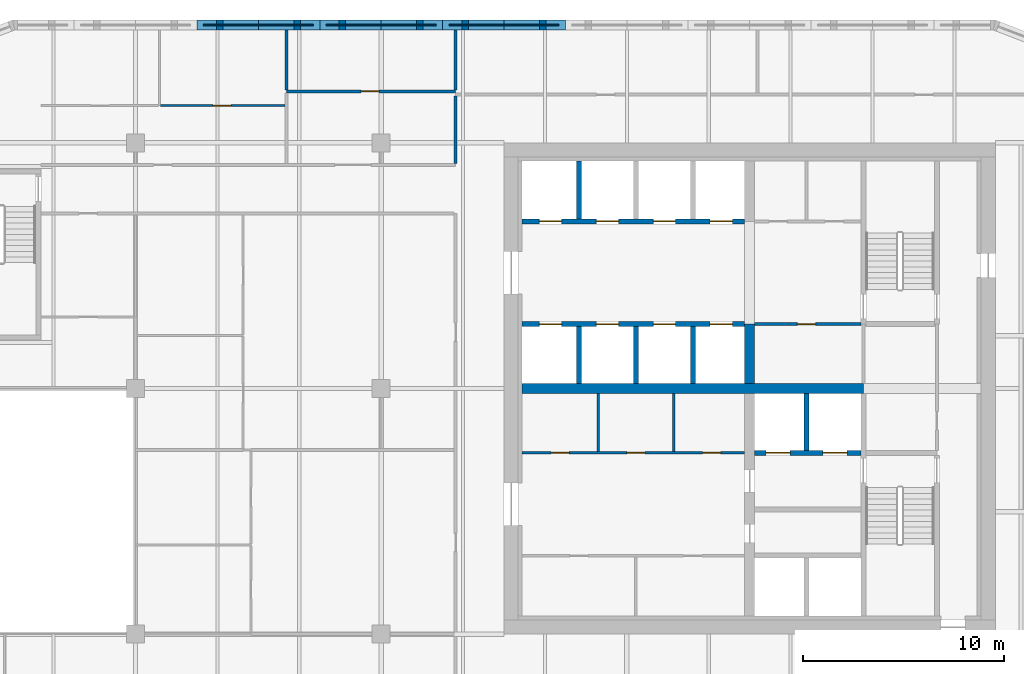
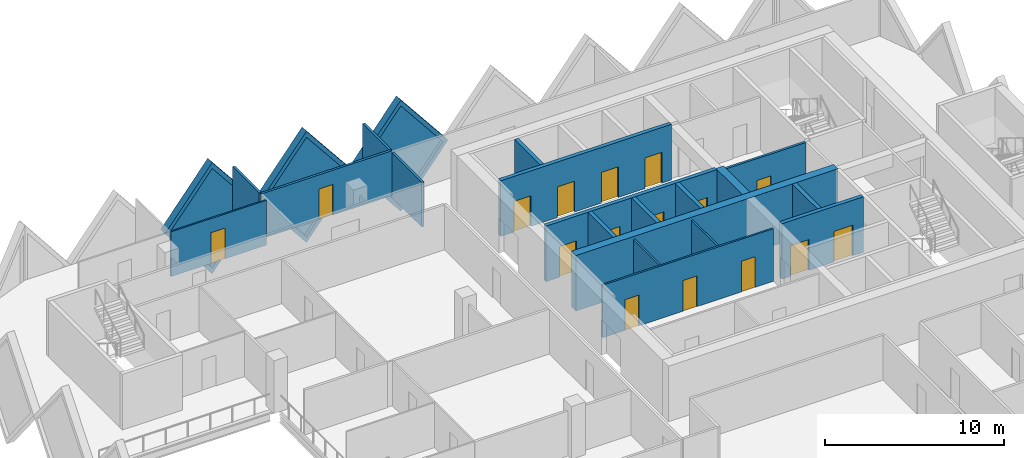
# One storey, part 8 of 12: 22 walls, 16 doors, 3 plates, 19 openings.
"""IFC4 building model written with IfcOpenShell, lengths in metres."""

from ifc_helpers import new_model, si_unit, direction, frame, frame_2d, origin, place, context, subcontext, project, spatial, polyline, rectangle, outline, extrude, faceted_brep, source, transform, mapped, material, layer, layer_set, type_object, element, fill, save


model = new_model("IFC4")

# Units and contexts
model_context = context("Model", 3, precision=1e-05, world=origin(), true_north=direction((0.0, 1.0)))
body_context = subcontext(model_context, "Body", "Model", "MODEL_VIEW")
ifc_project = project(units=[si_unit("LENGTHUNIT", "METRE"), si_unit("AREAUNIT", "SQUARE_METRE"), si_unit("VOLUMEUNIT", "CUBIC_METRE"), si_unit("PLANEANGLEUNIT", "RADIAN"), si_unit("MASSUNIT", "GRAM", prefix="KILO")], contexts=[model_context])

# Site, building, storey
site_placement = place(None, origin())
site = spatial("IfcSite", under=ifc_project, at=site_placement, CompositionType="ELEMENT")
building_placement = place(site_placement, origin())
building = spatial("IfcBuilding", under=site, at=building_placement, Name="Tessera Gate Towers", CompositionType="ELEMENT")
storey_placement = place(building_placement, frame((0.0, 0.0, 127.800048828125)))
storey = spatial("IfcBuildingStorey", under=building, at=storey_placement, Name="L31", CompositionType="ELEMENT", Elevation=127.800048828125)

# Wall, openings, doors
ifc_material_1 = material(Name="Concrete C40/50", Category="concrete")
ifc_layer_1 = layer(ifc_material_1, 0.25)
ifc_layer_set_1 = layer_set([ifc_layer_1], Name="CORE ENCLOSURE WALL 250")
wall_type_1 = type_object("IfcWallType", Name="CORE ENCLOSURE WALL 250", PredefinedType="SOLIDWALL", material=ifc_layer_set_1)
wall_1_placement = place(storey_placement, frame((31.39990234375, 39.800048828125, 0.0), z_axis=(0.0, 0.0, 1.0), x_axis=(1.0, 0.0, 0.0)))
wall_1 = element("IfcWall", 1, at=wall_1_placement, inside=storey, type_object=wall_type_1, Name="L31 shaft and stair enclosure wall", PredefinedType="SOLIDWALL", context=body_context, shape_type="SweptSolid", body=[
    extrude(rectangle(XDim=11.050048828125, YDim=0.25, at=frame_2d((5.52490234375, 0.0))), origin(), (0.0, 0.0, 1.0), 3.800048828125),
])
shared_shape_1 = source(origin(), body_context, "Body", "SweptSolid", [
    extrude(rectangle(XDim=1.10009765625, YDim=2.10009765625, at=frame_2d((0.550048828125, 1.050048828125))), frame((0.0, 0.135009765625, 0.0), z_axis=(0.0, -1.0, 0.0), x_axis=(1.0, 0.0, 0.0)), (0.0, 0.0, 1.0), 0.27001953125),
])
opening_1_placement = place(wall_1_placement, frame((0.862548828125, 0.0, 0.0)))
opening_1 = element("IfcOpeningElement", 2, at=opening_1_placement, cuts=wall_1, Name="Opening LD-HR1", PredefinedType="OPENING", context=body_context, shape_type="MappedRepresentation", body=[
    mapped(shared_shape_1, transform((0.0, 0.0, 0.0), scale=1.0)),
])
opening_2_placement = place(wall_1_placement, frame((3.6875, 0.0, 0.0)))
opening_2 = element("IfcOpeningElement", 3, at=opening_2_placement, cuts=wall_1, Name="Opening LD-HR2", PredefinedType="OPENING", context=body_context, shape_type="MappedRepresentation", body=[
    mapped(shared_shape_1, transform((0.0, 0.0, 0.0), scale=1.0)),
])
opening_3_placement = place(wall_1_placement, frame((6.512451171875, 0.0, 0.0)))
opening_3 = element("IfcOpeningElement", 4, at=opening_3_placement, cuts=wall_1, Name="Opening LD-HR3", PredefinedType="OPENING", context=body_context, shape_type="MappedRepresentation", body=[
    mapped(shared_shape_1, transform((0.0, 0.0, 0.0), scale=1.0)),
])
opening_4_placement = place(wall_1_placement, frame((9.33740234375, 0.0, 0.0)))
opening_4 = element("IfcOpeningElement", 5, at=opening_4_placement, cuts=wall_1, Name="Opening LD-HR4", PredefinedType="OPENING", context=body_context, shape_type="MappedRepresentation", body=[
    mapped(shared_shape_1, transform((0.0, 0.0, 0.0), scale=1.0)),
])
ifc_material_2 = material(Name="Stainless steel", Category="steel")
door_type_1 = type_object("IfcDoorType", Name="CORE DOOR LD 1100x2100", OperationType="DOUBLE_DOOR_SLIDING", PredefinedType="DOOR", material=ifc_material_2)
shared_shape_2 = source(origin(), body_context, "Body", "SweptSolid", [
    extrude(rectangle(XDim=1.10009765625, YDim=2.10009765625, at=frame_2d((0.550048828125, 1.050048828125))), frame((0.0, 0.02490234375, 0.0), z_axis=(0.0, -1.0, 0.0), x_axis=(1.0, 0.0, 0.0)), (0.0, 0.0, 1.0), 0.050048828125),
])
door_1_placement = place(opening_1_placement, origin())
door_1 = element("IfcDoor", 6, at=door_1_placement, inside=storey, type_object=door_type_1, Name="Landing door HR1 L31", OperationType="DOUBLE_DOOR_SLIDING", OverallHeight=2.10009765625, OverallWidth=1.10009765625, PredefinedType="DOOR", context=body_context, shape_type="MappedRepresentation", body=[
    mapped(shared_shape_2, transform((0.0, 0.0, 0.0), scale=1.0)),
])
fill(opening_1, door_1)
door_2_placement = place(opening_2_placement, origin())
door_2 = element("IfcDoor", 7, at=door_2_placement, inside=storey, type_object=door_type_1, Name="Landing door HR2 L31", OperationType="DOUBLE_DOOR_SLIDING", OverallHeight=2.10009765625, OverallWidth=1.10009765625, PredefinedType="DOOR", context=body_context, shape_type="MappedRepresentation", body=[
    mapped(shared_shape_2, transform((0.0, 0.0, 0.0), scale=1.0)),
])
fill(opening_2, door_2)
door_3_placement = place(opening_3_placement, origin())
door_3 = element("IfcDoor", 8, at=door_3_placement, inside=storey, type_object=door_type_1, Name="Landing door HR3 L31", OperationType="DOUBLE_DOOR_SLIDING", OverallHeight=2.10009765625, OverallWidth=1.10009765625, PredefinedType="DOOR", context=body_context, shape_type="MappedRepresentation", body=[
    mapped(shared_shape_2, transform((0.0, 0.0, 0.0), scale=1.0)),
])
fill(opening_3, door_3)
door_4_placement = place(opening_4_placement, origin())
door_4 = element("IfcDoor", 9, at=door_4_placement, inside=storey, type_object=door_type_1, Name="Landing door HR4 L31", OperationType="DOUBLE_DOOR_SLIDING", OverallHeight=2.10009765625, OverallWidth=1.10009765625, PredefinedType="DOOR", context=body_context, shape_type="MappedRepresentation", body=[
    mapped(shared_shape_2, transform((0.0, 0.0, 0.0), scale=1.0)),
])
fill(opening_4, door_4)

wall_2_placement = place(storey_placement, frame((42.449951171875, 44.89990234375, 0.0), z_axis=(0.0, 0.0, 1.0), x_axis=(-1.0, 0.0, 0.0)))
wall_2 = element("IfcWall", 10, at=wall_2_placement, inside=storey, type_object=wall_type_1, Name="L31 shaft and stair enclosure wall", PredefinedType="SOLIDWALL", context=body_context, shape_type="SweptSolid", body=[
    extrude(rectangle(XDim=11.050048828125, YDim=0.25, at=frame_2d((5.52490234375, 0.0))), origin(), (0.0, 0.0, 1.0), 3.800048828125),
])
opening_5_placement = place(wall_2_placement, frame((9.08740234375, 0.0, 0.0)))
opening_5 = element("IfcOpeningElement", 11, at=opening_5_placement, cuts=wall_2, Name="Opening LD-HR5", PredefinedType="OPENING", context=body_context, shape_type="MappedRepresentation", body=[
    mapped(shared_shape_1, transform((0.0, 0.0, 0.0), scale=1.0)),
])
opening_6_placement = place(wall_2_placement, frame((6.262451171875, 0.0, 0.0)))
opening_6 = element("IfcOpeningElement", 12, at=opening_6_placement, cuts=wall_2, Name="Opening LD-HR6", PredefinedType="OPENING", context=body_context, shape_type="MappedRepresentation", body=[
    mapped(shared_shape_1, transform((0.0, 0.0, 0.0), scale=1.0)),
])
opening_7_placement = place(wall_2_placement, frame((3.4375, 0.0, 0.0)))
opening_7 = element("IfcOpeningElement", 13, at=opening_7_placement, cuts=wall_2, Name="Opening LD-HR7", PredefinedType="OPENING", context=body_context, shape_type="MappedRepresentation", body=[
    mapped(shared_shape_1, transform((0.0, 0.0, 0.0), scale=1.0)),
])
opening_8_placement = place(wall_2_placement, frame((0.612548828125, 0.0, 0.0)))
opening_8 = element("IfcOpeningElement", 14, at=opening_8_placement, cuts=wall_2, Name="Opening LD-HR8", PredefinedType="OPENING", context=body_context, shape_type="MappedRepresentation", body=[
    mapped(shared_shape_1, transform((0.0, 0.0, 0.0), scale=1.0)),
])
door_5_placement = place(opening_5_placement, origin())
door_5 = element("IfcDoor", 15, at=door_5_placement, inside=storey, type_object=door_type_1, Name="Landing door HR5 L31", OperationType="DOUBLE_DOOR_SLIDING", OverallHeight=2.10009765625, OverallWidth=1.10009765625, PredefinedType="DOOR", context=body_context, shape_type="MappedRepresentation", body=[
    mapped(shared_shape_2, transform((0.0, 0.0, 0.0), scale=1.0)),
])
fill(opening_5, door_5)
door_6_placement = place(opening_6_placement, origin())
door_6 = element("IfcDoor", 16, at=door_6_placement, inside=storey, type_object=door_type_1, Name="Landing door HR6 L31", OperationType="DOUBLE_DOOR_SLIDING", OverallHeight=2.10009765625, OverallWidth=1.10009765625, PredefinedType="DOOR", context=body_context, shape_type="MappedRepresentation", body=[
    mapped(shared_shape_2, transform((0.0, 0.0, 0.0), scale=1.0)),
])
fill(opening_6, door_6)
door_7_placement = place(opening_7_placement, origin())
door_7 = element("IfcDoor", 17, at=door_7_placement, inside=storey, type_object=door_type_1, Name="Landing door HR7 L31", OperationType="DOUBLE_DOOR_SLIDING", OverallHeight=2.10009765625, OverallWidth=1.10009765625, PredefinedType="DOOR", context=body_context, shape_type="MappedRepresentation", body=[
    mapped(shared_shape_2, transform((0.0, 0.0, 0.0), scale=1.0)),
])
fill(opening_7, door_7)
door_8_placement = place(opening_8_placement, origin())
door_8 = element("IfcDoor", 18, at=door_8_placement, inside=storey, type_object=door_type_1, Name="Landing door HR8 L31", OperationType="DOUBLE_DOOR_SLIDING", OverallHeight=2.10009765625, OverallWidth=1.10009765625, PredefinedType="DOOR", context=body_context, shape_type="MappedRepresentation", body=[
    mapped(shared_shape_2, transform((0.0, 0.0, 0.0), scale=1.0)),
])
fill(opening_8, door_8)

wall_3_placement = place(storey_placement, frame((48.22509765625, 33.39990234375, 0.0), z_axis=(0.0, 0.0, 1.0), x_axis=(-1.0, 0.0, 0.0)))
wall_3 = element("IfcWall", 19, at=wall_3_placement, inside=storey, type_object=wall_type_1, Name="L31 shaft and stair enclosure wall", PredefinedType="SOLIDWALL", context=body_context, shape_type="SweptSolid", body=[
    extrude(rectangle(XDim=5.275146484375, YDim=0.25, at=frame_2d((2.6376953125, 0.0))), origin(), (0.0, 0.0, 1.0), 3.800048828125),
])
shared_shape_3 = source(origin(), body_context, "Body", "SweptSolid", [
    extrude(rectangle(XDim=1.199951171875, YDim=2.10009765625, at=frame_2d((0.60009765625, 1.050048828125))), frame((0.0, 0.135009765625, 0.0), z_axis=(0.0, -1.0, 0.0), x_axis=(1.0, 0.0, 0.0)), (0.0, 0.0, 1.0), 0.27001953125),
])
opening_9_placement = place(wall_3_placement, frame((3.512451171875, 0.0, 0.0)))
opening_9 = element("IfcOpeningElement", 20, at=opening_9_placement, cuts=wall_3, Name="Opening LD-FF1", PredefinedType="OPENING", context=body_context, shape_type="MappedRepresentation", body=[
    mapped(shared_shape_3, transform((0.0, 0.0, 0.0), scale=1.0)),
])
opening_10_placement = place(wall_3_placement, frame((0.6875, 0.0, 0.0)))
opening_10 = element("IfcOpeningElement", 21, at=opening_10_placement, cuts=wall_3, Name="Opening LD-FF2", PredefinedType="OPENING", context=body_context, shape_type="MappedRepresentation", body=[
    mapped(shared_shape_3, transform((0.0, 0.0, 0.0), scale=1.0)),
])
ifc_material_3 = material(Name="Stainless steel", Category="steel")
door_type_2 = type_object("IfcDoorType", Name="CORE DOOR LD1200 1200x2100", OperationType="DOUBLE_DOOR_SLIDING", PredefinedType="DOOR", material=ifc_material_3)
shared_shape_4 = source(origin(), body_context, "Body", "SweptSolid", [
    extrude(rectangle(XDim=1.199951171875, YDim=2.10009765625, at=frame_2d((0.60009765625, 1.050048828125))), frame((0.0, 0.02490234375, 0.0), z_axis=(0.0, -1.0, 0.0), x_axis=(1.0, 0.0, 0.0)), (0.0, 0.0, 1.0), 0.050048828125),
])
door_9_placement = place(opening_9_placement, origin())
door_9 = element("IfcDoor", 22, at=door_9_placement, inside=storey, type_object=door_type_2, Name="Landing door FF1 L31", OperationType="DOUBLE_DOOR_SLIDING", OverallHeight=2.10009765625, OverallWidth=1.199951171875, PredefinedType="DOOR", context=body_context, shape_type="MappedRepresentation", body=[
    mapped(shared_shape_4, transform((0.0, 0.0, 0.0), scale=1.0)),
])
fill(opening_9, door_9)
door_10_placement = place(opening_10_placement, origin())
door_10 = element("IfcDoor", 23, at=door_10_placement, inside=storey, type_object=door_type_2, Name="Landing door FF2 L31", OperationType="DOUBLE_DOOR_SLIDING", OverallHeight=2.10009765625, OverallWidth=1.199951171875, PredefinedType="DOOR", context=body_context, shape_type="MappedRepresentation", body=[
    mapped(shared_shape_4, transform((0.0, 0.0, 0.0), scale=1.0)),
])
fill(opening_10, door_10)

# Walls
for number, where, z_axis, x_axis, name in (
    (24, (34.22509765625, 36.85009765625, 0.0), (0.0, 0.0, 1.0), (0.0, 1.0, 0.0), "L31 shaft and stair enclosure wall"),
    (25, (37.050048828125, 36.85009765625, 0.0), (0.0, 0.0, 1.0), (0.0, 1.0, 0.0), "L31 shaft and stair enclosure wall"),
    (26, (39.875, 36.85009765625, 0.0), (0.0, 0.0, 1.0), (0.0, 1.0, 0.0), "L31 shaft and stair enclosure wall"),
):
    element("IfcWall", number, at=place(storey_placement, frame(where, z_axis=z_axis, x_axis=x_axis)), inside=storey, type_object=wall_type_1, Name=name, PredefinedType="SOLIDWALL", context=body_context, shape_type="SweptSolid", body=[
        extrude(rectangle(XDim=2.824951171875, YDim=0.25, at=frame_2d((1.41259765625, 0.0))), origin(), (0.0, 0.0, 1.0), 3.800048828125),
    ])
wall_4_placement = place(storey_placement, frame((45.52490234375, 33.52490234375, 0.0), z_axis=(0.0, 0.0, 1.0), x_axis=(0.0, 1.0, 0.0)))
element("IfcWall", 27, at=wall_4_placement, inside=storey, type_object=wall_type_1, Name="L31 shaft and stair enclosure wall", PredefinedType="SOLIDWALL", context=body_context, shape_type="SweptSolid", body=[
    extrude(rectangle(XDim=2.8251953125, YDim=0.25, at=frame_2d((1.41259765625, 0.0))), origin(), (0.0, 0.0, 1.0), 3.800048828125),
])
wall_5_placement = place(storey_placement, frame((34.22509765625, 45.02490234375, 0.0), z_axis=(0.0, 0.0, 1.0), x_axis=(0.0, 1.0, 0.0)))
element("IfcWall", 28, at=wall_5_placement, inside=storey, type_object=wall_type_1, Name="L31 shaft and stair enclosure wall", PredefinedType="SOLIDWALL", context=body_context, shape_type="SweptSolid", body=[
    extrude(rectangle(XDim=2.875, YDim=0.25, at=frame_2d((1.4375, 0.0))), origin(), (0.0, 0.0, 1.0), 3.800048828125),
])

# Wall, openings, doors
ifc_material_4 = material(Name="Gypsum board on steel studs", Category="steel")
ifc_layer_2 = layer(ifc_material_4, 0.1201171875)
ifc_layer_set_2 = layer_set([ifc_layer_2], Name="CORE PARTITION 120")
wall_type_2 = type_object("IfcWallType", Name="CORE PARTITION 120", PredefinedType="PARTITIONING", material=ifc_layer_set_2)
wall_6_placement = place(storey_placement, frame((31.39990234375, 33.39990234375, 0.0), z_axis=(0.0, 0.0, 1.0), x_axis=(1.0, 0.0, 0.0)))
wall_6 = element("IfcWall", 29, at=wall_6_placement, inside=storey, type_object=wall_type_2, Name="L31 core partition", PredefinedType="PARTITIONING", context=body_context, shape_type="SweptSolid", body=[
    extrude(rectangle(XDim=11.050048828125, YDim=0.1201171875, at=frame_2d((5.52490234375, 0.0))), origin(), (0.0, 0.0, 1.0), 3.599853515625),
])
shared_shape_5 = source(origin(), body_context, "Body", "SweptSolid", [
    extrude(rectangle(XDim=0.89990234375, YDim=2.10009765625, at=frame_2d((0.449951171875, 1.050048828125))), frame((0.0, 0.070068359375, 0.0), z_axis=(0.0, -1.0, 0.0), x_axis=(1.0, 0.0, 0.0)), (0.0, 0.0, 1.0), 0.14013671875),
])
opening_11_placement = place(wall_6_placement, frame((1.4375, 0.0, 0.0)))
opening_11 = element("IfcOpeningElement", 30, at=opening_11_placement, cuts=wall_6, Name="Opening RD-T1-21-09", PredefinedType="OPENING", context=body_context, shape_type="MappedRepresentation", body=[
    mapped(shared_shape_5, transform((0.0, 0.0, 0.0), scale=1.0)),
])
opening_12_placement = place(wall_6_placement, frame((5.199951171875, 0.0, 0.0)))
opening_12 = element("IfcOpeningElement", 31, at=opening_12_placement, cuts=wall_6, Name="Opening RD-T1-21-10", PredefinedType="OPENING", context=body_context, shape_type="MappedRepresentation", body=[
    mapped(shared_shape_5, transform((0.0, 0.0, 0.0), scale=1.0)),
])
opening_13_placement = place(wall_6_placement, frame((8.96240234375, 0.0, 0.0)))
opening_13 = element("IfcOpeningElement", 32, at=opening_13_placement, cuts=wall_6, Name="Opening RD-T1-21-11", PredefinedType="OPENING", context=body_context, shape_type="MappedRepresentation", body=[
    mapped(shared_shape_5, transform((0.0, 0.0, 0.0), scale=1.0)),
])
ifc_material_5 = material(Name="Hollow steel fire door", Category="steel")
door_type_3 = type_object("IfcDoorType", Name="CORE DOOR RD 900x2100", OperationType="NOTDEFINED", PredefinedType="DOOR", material=ifc_material_5)
shared_shape_6 = source(origin(), body_context, "Body", "SweptSolid", [
    extrude(rectangle(XDim=0.89990234375, YDim=2.10009765625, at=frame_2d((0.449951171875, 1.050048828125))), frame((0.0, 0.02490234375, 0.0), z_axis=(0.0, -1.0, 0.0), x_axis=(1.0, 0.0, 0.0)), (0.0, 0.0, 1.0), 0.050048828125),
])
door_11_placement = place(opening_11_placement, origin())
door_11 = element("IfcDoor", 33, at=door_11_placement, inside=storey, type_object=door_type_3, Name="Core room door", OperationType="SINGLE_SWING_LEFT", OverallHeight=2.10009765625, OverallWidth=0.89990234375, PredefinedType="DOOR", context=body_context, shape_type="MappedRepresentation", body=[
    mapped(shared_shape_6, transform((0.0, 0.0, 0.0), scale=1.0)),
])
fill(opening_11, door_11)
door_12_placement = place(opening_12_placement, origin())
door_12 = element("IfcDoor", 34, at=door_12_placement, inside=storey, type_object=door_type_3, Name="Core room door", OperationType="SINGLE_SWING_RIGHT", OverallHeight=2.10009765625, OverallWidth=0.89990234375, PredefinedType="DOOR", context=body_context, shape_type="MappedRepresentation", body=[
    mapped(shared_shape_6, transform((0.0, 0.0, 0.0), scale=1.0)),
])
fill(opening_12, door_12)
door_13_placement = place(opening_13_placement, origin())
door_13 = element("IfcDoor", 35, at=door_13_placement, inside=storey, type_object=door_type_3, Name="Core room door", OperationType="SINGLE_SWING_RIGHT", OverallHeight=2.10009765625, OverallWidth=0.89990234375, PredefinedType="DOOR", context=body_context, shape_type="MappedRepresentation", body=[
    mapped(shared_shape_6, transform((0.0, 0.0, 0.0), scale=1.0)),
])
fill(opening_13, door_13)

# Walls
for number, where, z_axis, x_axis, name in (
    (36, (35.175048828125, 33.4599609375, 0.0), (0.0, 0.0, 1.0), (0.0, 1.0, 0.0), "L31 core partition"),
    (37, (38.925048828125, 33.4599609375, 0.0), (0.0, 0.0, 1.0), (0.0, 1.0, 0.0), "L31 core partition"),
):
    element("IfcWall", number, at=place(storey_placement, frame(where, z_axis=z_axis, x_axis=x_axis)), inside=storey, type_object=wall_type_2, Name=name, PredefinedType="PARTITIONING", context=body_context, shape_type="SweptSolid", body=[
        extrude(rectangle(XDim=2.89013671875, YDim=0.1201171875, at=frame_2d((1.445068359375, 0.0))), origin(), (0.0, 0.0, 1.0), 3.599853515625),
    ])
ifc_material_6 = material(Name="Concrete C60/75", Category="concrete")
ifc_layer_3 = layer(ifc_material_6, 0.5)
ifc_layer_set_3 = layer_set([ifc_layer_3], Name="CORE SPINE WALL 500 C60/75")
wall_type_3 = type_object("IfcWallType", Name="CORE SPINE WALL 500 C60/75", PredefinedType="SHEAR", material=ifc_layer_set_3)
wall_7_placement = place(storey_placement, frame((31.39990234375, 36.60009765625, 0.0), z_axis=(0.0, 0.0, 1.0), x_axis=(1.0, 0.0, 0.0)))
element("IfcWall", 38, at=wall_7_placement, inside=storey, type_object=wall_type_3, Name="Core wall spine L31", PredefinedType="SHEAR", context=body_context, shape_type="SweptSolid", body=[
    extrude(rectangle(XDim=16.9501953125, YDim=0.5, at=frame_2d((8.47509765625, 0.0))), origin(), (0.0, 0.0, 1.0), 3.800048828125),
])
wall_8_placement = place(storey_placement, frame((42.699951171875, 36.85009765625, 0.0), z_axis=(0.0, 0.0, 1.0), x_axis=(0.0, 1.0, 0.0)))
element("IfcWall", 39, at=wall_8_placement, inside=storey, type_object=wall_type_3, Name="Core wall spine L31", PredefinedType="SHEAR", context=body_context, shape_type="SweptSolid", body=[
    extrude(rectangle(XDim=2.949951171875, YDim=0.5, at=frame_2d((1.47509765625, 0.0))), origin(), (0.0, 0.0, 1.0), 3.800048828125),
])
ifc_material_7 = material(Name="Gypsum board on steel studs, mineral wool", Category="steel")
ifc_layer_4 = layer(ifc_material_7, 0.14990234375)
ifc_layer_set_4 = layer_set([ifc_layer_4], Name="CORRIDOR WALL 150")
wall_type_4 = type_object("IfcWallType", Name="CORRIDOR WALL 150", PredefinedType="PARTITIONING", material=ifc_layer_set_4)
wall_9_placement = place(storey_placement, frame((28.10009765625, 47.77587890625, 0.0), z_axis=(0.0, 0.0, 1.0), x_axis=(0.0, 1.0, 0.0)))
element("IfcWall", 40, at=wall_9_placement, inside=storey, type_object=wall_type_4, Name="T1-L31-PW-040", PredefinedType="PARTITIONING", context=body_context, shape_type="SweptSolid", body=[
    extrude(rectangle(XDim=3.34814453125, YDim=0.14990234375, at=frame_2d((1.674072265625, 0.0))), origin(), (0.0, 0.0, 1.0), 3.06689453125),
])

# Wall, opening, door
ifc_material_8 = material(Name="Glass", Category="glass")
ifc_layer_5 = layer(ifc_material_8, 0.10009765625)
ifc_layer_set_5 = layer_set([ifc_layer_5], Name="GLAZED PARTITION 100")
wall_type_5 = type_object("IfcWallType", Name="GLAZED PARTITION 100", PredefinedType="PARTITIONING", material=ifc_layer_set_5)
wall_10_placement = place(storey_placement, frame((13.444580078125, 50.64990234375, 0.0), z_axis=(0.0, 0.0, 1.0), x_axis=(1.0, 0.0, 0.0)))
wall_10 = element("IfcWall", 41, at=wall_10_placement, inside=storey, type_object=wall_type_5, Name="T1-L31-PW-045", PredefinedType="PARTITIONING", context=body_context, shape_type="SweptSolid", body=[
    extrude(rectangle(XDim=6.179443359375, YDim=0.10009765625, at=frame_2d((3.08984375, 0.0))), origin(), (0.0, 0.0, 1.0), 3.06689453125),
])
shared_shape_7 = source(origin(), body_context, "Body", "SweptSolid", [
    extrude(rectangle(XDim=0.89990234375, YDim=2.10009765625, at=frame_2d((0.449951171875, 1.050048828125))), frame((0.0, 0.06005859375, 0.0), z_axis=(0.0, -1.0, 0.0), x_axis=(1.0, 0.0, 0.0)), (0.0, 0.0, 1.0), 0.1201171875),
])
opening_14_placement = place(wall_10_placement, frame((2.60009765625, 0.0, 0.0)))
opening_14 = element("IfcOpeningElement", 42, at=opening_14_placement, cuts=wall_10, Name="Opening D690-A11-07", PredefinedType="OPENING", context=body_context, shape_type="MappedRepresentation", body=[
    mapped(shared_shape_7, transform((0.0, 0.0, 0.0), scale=1.0)),
])
ifc_material_9 = material(Name="Glass in aluminium frame", Category="aluminium")
door_type_4 = type_object("IfcDoorType", Name="GLAZED DOOR 900 NOT RATED", OperationType="NOTDEFINED", PredefinedType="DOOR", material=ifc_material_9)
door_14_placement = place(opening_14_placement, origin())
door_14 = element("IfcDoor", 43, at=door_14_placement, inside=storey, type_object=door_type_4, Name="T1-L31-PD-011", OperationType="SINGLE_SWING_LEFT", OverallHeight=2.10009765625, OverallWidth=0.89990234375, PredefinedType="DOOR", context=body_context, shape_type="MappedRepresentation", body=[
    mapped(shared_shape_6, transform((0.0, 0.0, 0.0), scale=1.0)),
])
fill(opening_14, door_14)

ifc_material_10 = material(Name="Gypsum board on steel studs", Category="steel")
ifc_layer_6 = layer(ifc_material_10, 0.14990234375)
ifc_layer_set_6 = layer_set([ifc_layer_6], Name="SERVICE ROOM WALL 150")
wall_type_6 = type_object("IfcWallType", Name="SERVICE ROOM WALL 150", PredefinedType="PARTITIONING", material=ifc_layer_set_6)
wall_11_placement = place(storey_placement, frame((48.22509765625, 39.800048828125, 0.0), z_axis=(0.0, 0.0, 1.0), x_axis=(-1.0, 0.0, 0.0)))
wall_11 = element("IfcWall", 44, at=wall_11_placement, inside=storey, type_object=wall_type_6, Name="L31 service room wall", PredefinedType="PARTITIONING", context=body_context, shape_type="SweptSolid", body=[
    extrude(rectangle(XDim=5.275146484375, YDim=0.14990234375, at=frame_2d((2.6376953125, 0.0))), origin(), (0.0, 0.0, 1.0), 3.599853515625),
])
shared_shape_8 = source(origin(), body_context, "Body", "SweptSolid", [
    extrude(rectangle(XDim=0.89990234375, YDim=2.10009765625, at=frame_2d((0.449951171875, 1.050048828125))), frame((0.0, 0.0849609375, 0.0), z_axis=(0.0, -1.0, 0.0), x_axis=(1.0, 0.0, 0.0)), (0.0, 0.0, 1.0), 0.169921875),
])
opening_15_placement = place(wall_11_placement, frame((2.25, 0.0, 0.0)))
opening_15 = element("IfcOpeningElement", 45, at=opening_15_placement, cuts=wall_11, Name="Opening RD-T1-21-13", PredefinedType="OPENING", context=body_context, shape_type="MappedRepresentation", body=[
    mapped(shared_shape_8, transform((0.0, 0.0, 0.0), scale=1.0)),
])
door_15_placement = place(opening_15_placement, origin())
door_15 = element("IfcDoor", 46, at=door_15_placement, inside=storey, type_object=door_type_3, Name="Core room door", OperationType="SINGLE_SWING_RIGHT", OverallHeight=2.10009765625, OverallWidth=0.89990234375, PredefinedType="DOOR", context=body_context, shape_type="MappedRepresentation", body=[
    mapped(shared_shape_6, transform((0.0, 0.0, 0.0), scale=1.0)),
])
fill(opening_15, door_15)

ifc_material_11 = material(Name="Gypsum board on steel studs, mineral wool", Category="steel")
ifc_layer_7 = layer(ifc_material_11, 0.14990234375)
ifc_layer_set_7 = layer_set([ifc_layer_7], Name="TENANCY WALL 150")
wall_type_7 = type_object("IfcWallType", Name="TENANCY WALL 150", PredefinedType="PARTITIONING", material=ifc_layer_set_7)
wall_12_placement = place(storey_placement, frame((19.699951171875, 51.35009765625, 0.0), z_axis=(0.0, 0.0, 1.0), x_axis=(1.0, 0.0, 0.0)))
wall_12 = element("IfcWall", 47, at=wall_12_placement, inside=storey, type_object=wall_type_7, Name="T1-L31-PW-048", PredefinedType="PARTITIONING", context=body_context, shape_type="SweptSolid", body=[
    extrude(rectangle(XDim=8.400146484375, YDim=0.14990234375, at=frame_2d((4.2001953125, 0.0))), origin(), (0.0, 0.0, 1.0), 3.06689453125),
])
opening_16_placement = place(wall_12_placement, frame((3.699951171875, 0.0, 0.0)))
opening_16 = element("IfcOpeningElement", 48, at=opening_16_placement, cuts=wall_12, Name="Opening D190-A11-05", PredefinedType="OPENING", context=body_context, shape_type="MappedRepresentation", body=[
    mapped(shared_shape_8, transform((0.0, 0.0, 0.0), scale=1.0)),
])
ifc_material_12 = material(Name="Timber door leaf in steel frame", Category="steel")
door_type_5 = type_object("IfcDoorType", Name="INTERNAL DOOR 900 NOT RATED", OperationType="NOTDEFINED", PredefinedType="DOOR", material=ifc_material_12)
door_16_placement = place(opening_16_placement, origin())
door_16 = element("IfcDoor", 49, at=door_16_placement, inside=storey, type_object=door_type_5, Name="T1-L31-PD-016", OperationType="SINGLE_SWING_LEFT", OverallHeight=2.10009765625, OverallWidth=0.89990234375, PredefinedType="DOOR", context=body_context, shape_type="MappedRepresentation", body=[
    mapped(shared_shape_6, transform((0.0, 0.0, 0.0), scale=1.0)),
])
fill(opening_16, door_16)

# Walls
for number, where, z_axis, x_axis, name in (
    (50, (19.699951171875, 51.426025390625, 0.0), (0.0, 0.0, 1.0), (0.0, 1.0, 0.0), "T1-L31-PW-049"),
    (51, (28.10009765625, 51.426025390625, 0.0), (0.0, 0.0, 1.0), (0.0, 1.0, 0.0), "T1-L31-PW-050"),
):
    element("IfcWall", number, at=place(storey_placement, frame(where, z_axis=z_axis, x_axis=x_axis)), inside=storey, type_object=wall_type_7, Name=name, PredefinedType="PARTITIONING", context=body_context, shape_type="SweptSolid", body=[
        extrude(rectangle(XDim=2.973876953125, YDim=0.14990234375, at=frame_2d((1.48681640625, 0.0))), origin(), (0.0, 0.0, 1.0), 3.06689453125),
    ])

# Wall, opening, plate
ifc_material_13 = material(Name="Precast concrete C60/75 white", Category="concrete")
ifc_layer_8 = layer(ifc_material_13, 0.5)
ifc_layer_set_8 = layer_set([ifc_layer_8], Name="TS1 tessera")
wall_type_8 = type_object("IfcWallType", Name="TS1 tessera", PredefinedType="SOLIDWALL", material=ifc_layer_set_8)
shared_shape_9 = source(origin(), body_context, "Body", "Brep", [
    faceted_brep([(3.050048828125, -0.25, 0.0), (6.099853515625, -0.25, 3.7998046875), (6.099853515625, -0.25, 3.80029296875), (3.050048828125, -0.25, 7.60009765625), (0.0, -0.25, 3.800048828125), (0.0, 0.25, 3.800048828125), (3.050048828125, 0.25, 7.60009765625), (6.099853515625, 0.25, 3.80029296875), (6.099853515625, 0.25, 3.7998046875), (3.050048828125, 0.25, 0.0)], [[[0, 1, 2, 3, 4]], [[5, 6, 7, 8, 9]], [[9, 8, 1, 0]], [[7, 6, 3, 2]], [[6, 5, 4, 3]], [[5, 9, 0, 4]], [[1, 8, 7, 2]]]),
])
wall_13_placement = place(storey_placement, frame((27.449951171875, 54.64990234375, -3.800048828125), z_axis=(0.0, 0.0, 1.0), x_axis=(-1.0, 0.0, 0.0)))
wall_13 = element("IfcWall", 52, at=wall_13_placement, inside=storey, type_object=wall_type_8, Name="Precast tessera T1 TS1-0520", PredefinedType="SOLIDWALL", context=body_context, shape_type="MappedRepresentation", body=[
    mapped(shared_shape_9, transform((0.0, 0.0, 0.0), scale=1.0)),
])
shared_shape_10 = source(origin(), body_context, "Body", "SweptSolid", [
    extrude(outline(polyline([(3.050048828125, 0.3994140625), (5.779541015625, 3.800048828125), (3.050048828125, 7.20068359375), (0.320556640625, 3.800048828125), (3.050048828125, 0.3994140625)])), frame((0.0, 0.260009765625, 0.0), z_axis=(0.0, -1.0, 0.0), x_axis=(1.0, 0.0, 0.0)), (0.0, 0.0, 1.0), 0.52001953125),
])
opening_17_placement = place(wall_13_placement, origin())
opening_17 = element("IfcOpeningElement", 53, at=opening_17_placement, cuts=wall_13, Name="Opening T1-PL2-1058", PredefinedType="OPENING", context=body_context, shape_type="MappedRepresentation", body=[
    mapped(shared_shape_10, transform((0.0, 0.0, 0.0), scale=1.0)),
])
ifc_material_14 = material(Name="Low-e laminated glass", Category="glass")
ifc_layer_9 = layer(ifc_material_14, 0.06005859375)
ifc_layer_set_9 = layer_set([ifc_layer_9], Name="PL2 rhombic pane")
plate_type = type_object("IfcPlateType", Name="PL2 rhombic pane", PredefinedType="SHEET", material=ifc_layer_set_9)
shared_shape_11 = source(origin(), body_context, "Body", "SweptSolid", [
    extrude(outline(polyline([(3.050048828125, 0.3994140625), (5.779541015625, 3.800048828125), (3.050048828125, 7.20068359375), (0.320556640625, 3.800048828125), (3.050048828125, 0.3994140625)])), frame((0.0, 0.030029296875, 0.0), z_axis=(0.0, -1.0, 0.0), x_axis=(1.0, 0.0, 0.0)), (0.0, 0.0, 1.0), 0.06005859375),
])
plate_1_placement = place(opening_17_placement, origin())
plate_1 = element("IfcPlate", 54, at=plate_1_placement, inside=storey, type_object=plate_type, Name="Glass pane T1 PL2-1058", PredefinedType="SHEET", context=body_context, shape_type="MappedRepresentation", body=[
    mapped(shared_shape_11, transform((0.0, 0.0, 0.0), scale=1.0)),
])
fill(opening_17, plate_1)

shared_shape_12 = source(origin(), body_context, "Body", "SweptSolid", [
    extrude(outline(polyline([(3.050048828125, 0.0), (6.10009765625, 3.800048828125), (3.050048828125, 7.60009765625), (0.0, 3.800048828125), (3.050048828125, 0.0)])), frame((0.0, 0.25, 0.0), z_axis=(0.0, -1.0, 0.0), x_axis=(1.0, 0.0, 0.0)), (0.0, 0.0, 1.0), 0.5),
])
wall_14_placement = place(storey_placement, frame((33.550048828125, 54.64990234375, -3.800048828125), z_axis=(0.0, 0.0, 1.0), x_axis=(-1.0, 0.0, 0.0)))
wall_14 = element("IfcWall", 55, at=wall_14_placement, inside=storey, type_object=wall_type_8, Name="Precast tessera T1 TS1-0519", PredefinedType="SOLIDWALL", context=body_context, shape_type="MappedRepresentation", body=[
    mapped(shared_shape_12, transform((0.0, 0.0, 0.0), scale=1.0)),
])
opening_18_placement = place(wall_14_placement, origin())
opening_18 = element("IfcOpeningElement", 56, at=opening_18_placement, cuts=wall_14, Name="Opening T1-PL2-1057", PredefinedType="OPENING", context=body_context, shape_type="MappedRepresentation", body=[
    mapped(shared_shape_10, transform((0.0, 0.0, 0.0), scale=1.0)),
])
plate_2_placement = place(opening_18_placement, origin())
plate_2 = element("IfcPlate", 57, at=plate_2_placement, inside=storey, type_object=plate_type, Name="Glass pane T1 PL2-1057", PredefinedType="SHEET", context=body_context, shape_type="MappedRepresentation", body=[
    mapped(shared_shape_11, transform((0.0, 0.0, 0.0), scale=1.0)),
])
fill(opening_18, plate_2)

wall_15_placement = place(storey_placement, frame((21.35009765625, 54.64990234375, -3.800048828125), z_axis=(0.0, 0.0, 1.0), x_axis=(-1.0, 0.0, 0.0)))
wall_15 = element("IfcWall", 58, at=wall_15_placement, inside=storey, type_object=wall_type_8, Name="Precast tessera T1 TS1-0521", PredefinedType="SOLIDWALL", context=body_context, shape_type="MappedRepresentation", body=[
    mapped(shared_shape_12, transform((0.0, 0.0, 0.0), scale=1.0)),
])
opening_19_placement = place(wall_15_placement, origin())
opening_19 = element("IfcOpeningElement", 59, at=opening_19_placement, cuts=wall_15, Name="Opening T1-PL2-1059", PredefinedType="OPENING", context=body_context, shape_type="MappedRepresentation", body=[
    mapped(shared_shape_10, transform((0.0, 0.0, 0.0), scale=1.0)),
])
plate_3_placement = place(opening_19_placement, origin())
plate_3 = element("IfcPlate", 60, at=plate_3_placement, inside=storey, type_object=plate_type, Name="Glass pane T1 PL2-1059", PredefinedType="SHEET", context=body_context, shape_type="MappedRepresentation", body=[
    mapped(shared_shape_11, transform((0.0, 0.0, 0.0), scale=1.0)),
])
fill(opening_19, plate_3)

save(model, "model.ifc")
